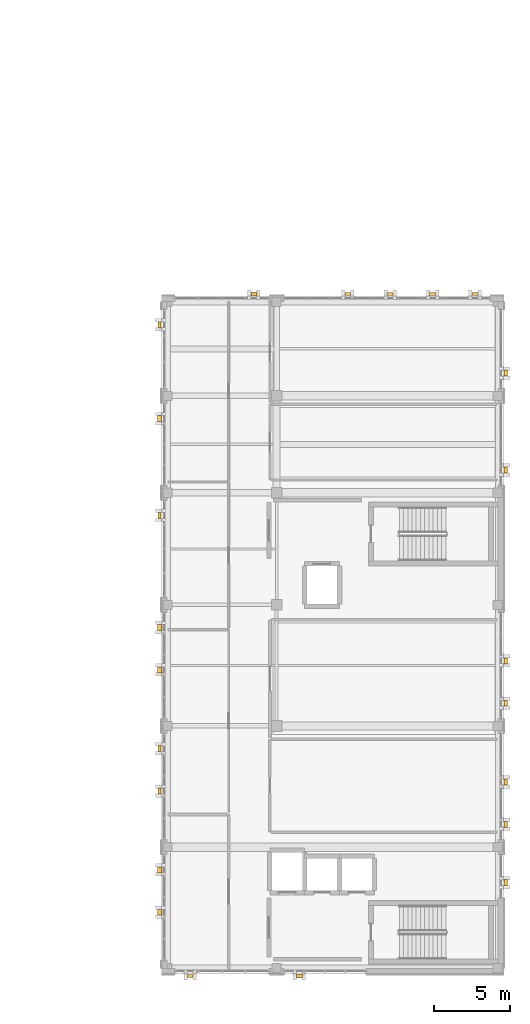
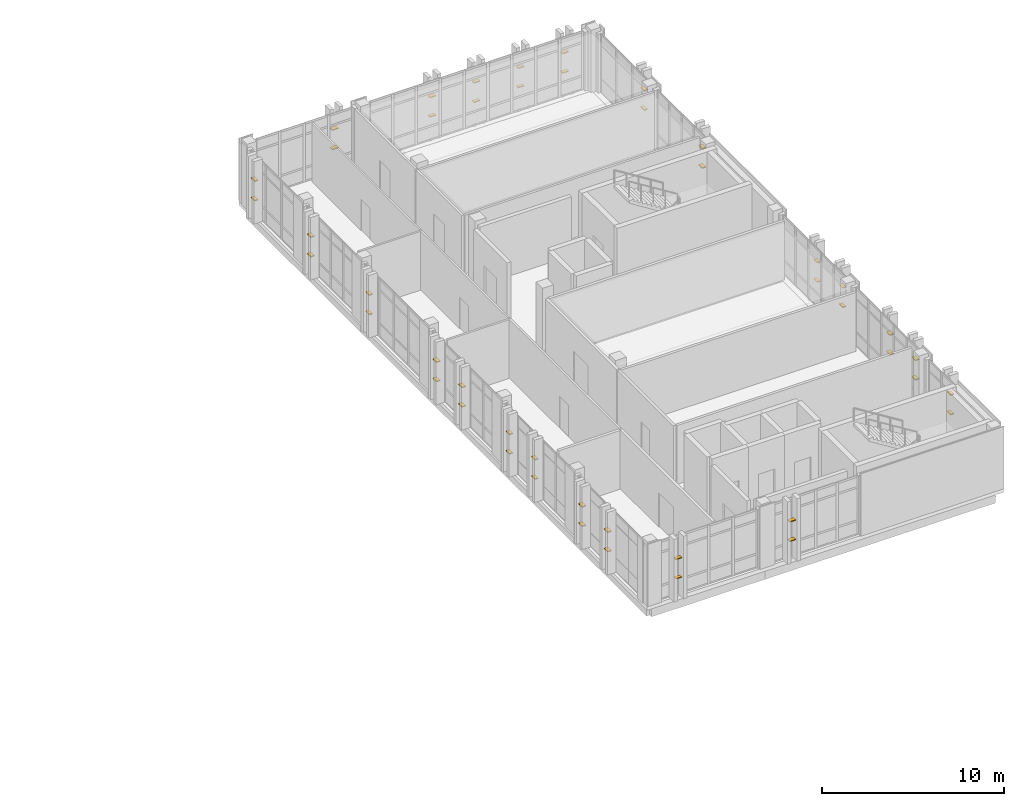
# One storey, part 76 of 77: 46 shading devices.
"""IFC4 building model written with IfcOpenShell, lengths in metres."""

from ifc_helpers import new_model, si_unit, direction, frame, origin, origin_2d, place, context, subcontext, project, spatial, rectangle, extrude, material, type_object, element, save


model = new_model("IFC4")

# Units and contexts
model_context = context("Model", 3, precision=1e-05, world=origin(), true_north=direction((0.0, 1.0)))
body_context = subcontext(model_context, "Body", "Model", "MODEL_VIEW")
ifc_project = project(units=[si_unit("LENGTHUNIT", "METRE"), si_unit("AREAUNIT", "SQUARE_METRE"), si_unit("VOLUMEUNIT", "CUBIC_METRE"), si_unit("PLANEANGLEUNIT", "RADIAN"), si_unit("MASSUNIT", "GRAM", prefix="KILO")], contexts=[model_context])

# Site, building, storey
site_placement = place(None, origin())
site = spatial("IfcSite", under=ifc_project, at=site_placement, CompositionType="ELEMENT")
building_placement = place(site_placement, origin())
building = spatial("IfcBuilding", under=site, at=building_placement, Name="Qalavern Law Courts", CompositionType="ELEMENT")
storey_placement = place(building_placement, frame((0.0, 0.0, 27.0)))
storey = spatial("IfcBuildingStorey", under=building, at=storey_placement, Name="L06", CompositionType="ELEMENT", Elevation=27.0)

# Shading devices
ifc_material = material(Name="Anodised aluminium", Category="aluminium")
shading_device_type_1 = type_object("IfcShadingDeviceType", Name="ENV-LOUV-1", PredefinedType="JALOUSIE", material=ifc_material)
for number, where, z_axis, x_axis, name in (
    (1, (86.10009765625, 40.89501953125, 1.34716796875), (0.0, 0.0, 1.0), (1.0, 0.0, 0.0), "Horizontal sun louvre V4-L06-0-1"),
    (2, (86.10009765625, 40.89501953125, 2.645751953125), (0.0, 0.0, 1.0), (1.0, 0.0, 0.0), "Horizontal sun louvre V4-L06-0-2"),
    (3, (106.925048828125, 47.050048828125, 1.34716796875), (0.0, 0.0, 1.0), (0.0, 1.0, 0.0), "Horizontal sun louvre V4-L06-0-1"),
    (4, (106.925048828125, 47.050048828125, 2.645751953125), (0.0, 0.0, 1.0), (0.0, 1.0, 0.0), "Horizontal sun louvre V4-L06-0-2"),
    (5, (106.925048828125, 58.89990234375, 1.34716796875), (0.0, 0.0, 1.0), (0.0, 1.0, 0.0), "Horizontal sun louvre V4-L06-0-1"),
    (6, (106.925048828125, 58.89990234375, 2.645751953125), (0.0, 0.0, 1.0), (0.0, 1.0, 0.0), "Horizontal sun louvre V4-L06-0-2"),
    (7, (106.925048828125, 61.699951171875, 1.34716796875), (0.0, 0.0, 1.0), (0.0, 1.0, 0.0), "Horizontal sun louvre V4-L06-1-1"),
    (8, (106.925048828125, 61.699951171875, 2.645751953125), (0.0, 0.0, 1.0), (0.0, 1.0, 0.0), "Horizontal sun louvre V4-L06-1-2"),
    (9, (106.925048828125, 80.699951171875, 1.34716796875), (0.0, 0.0, 1.0), (0.0, 1.0, 0.0), "Horizontal sun louvre V4-L06-0-1"),
    (10, (106.925048828125, 80.699951171875, 2.645751953125), (0.0, 0.0, 1.0), (0.0, 1.0, 0.0), "Horizontal sun louvre V4-L06-0-2"),
    (11, (104.89990234375, 85.925048828125, 1.34716796875), (0.0, 0.0, 1.0), (-1.0, 0.0, 0.0), "Horizontal sun louvre V4-L06-0-1"),
    (12, (104.89990234375, 85.925048828125, 2.645751953125), (0.0, 0.0, 1.0), (-1.0, 0.0, 0.0), "Horizontal sun louvre V4-L06-0-2"),
    (13, (102.10009765625, 85.925048828125, 1.34716796875), (0.0, 0.0, 1.0), (-1.0, 0.0, 0.0), "Horizontal sun louvre V4-L06-1-1"),
    (14, (102.10009765625, 85.925048828125, 2.645751953125), (0.0, 0.0, 1.0), (-1.0, 0.0, 0.0), "Horizontal sun louvre V4-L06-1-2"),
    (15, (99.300048828125, 85.925048828125, 1.34716796875), (0.0, 0.0, 1.0), (-1.0, 0.0, 0.0), "Horizontal sun louvre V4-L06-2-1"),
    (16, (99.300048828125, 85.925048828125, 2.645751953125), (0.0, 0.0, 1.0), (-1.0, 0.0, 0.0), "Horizontal sun louvre V4-L06-2-2"),
    (17, (96.5, 85.925048828125, 1.34716796875), (0.0, 0.0, 1.0), (-1.0, 0.0, 0.0), "Horizontal sun louvre V4-L06-3-1"),
    (18, (96.5, 85.925048828125, 2.645751953125), (0.0, 0.0, 1.0), (-1.0, 0.0, 0.0), "Horizontal sun louvre V4-L06-3-2"),
    (19, (84.074951171875, 83.885009765625, 1.34716796875), (0.0, 0.0, 1.0), (0.0, -1.0, 0.0), "Horizontal sun louvre V4-L06-0-1"),
    (20, (84.074951171875, 83.885009765625, 2.645751953125), (0.0, 0.0, 1.0), (0.0, -1.0, 0.0), "Horizontal sun louvre V4-L06-0-2"),
    (21, (84.074951171875, 71.300048828125, 1.34716796875), (0.0, 0.0, 1.0), (0.0, -1.0, 0.0), "Horizontal sun louvre V4-L06-0-1"),
    (22, (84.074951171875, 71.300048828125, 2.645751953125), (0.0, 0.0, 1.0), (0.0, -1.0, 0.0), "Horizontal sun louvre V4-L06-0-2"),
    (23, (84.074951171875, 55.89990234375, 1.34716796875), (0.0, 0.0, 1.0), (0.0, -1.0, 0.0), "Horizontal sun louvre V4-L06-0-1"),
    (24, (84.074951171875, 55.89990234375, 2.645751953125), (0.0, 0.0, 1.0), (0.0, -1.0, 0.0), "Horizontal sun louvre V4-L06-0-2"),
    (25, (84.074951171875, 53.10009765625, 1.34716796875), (0.0, 0.0, 1.0), (0.0, -1.0, 0.0), "Horizontal sun louvre V4-L06-1-1"),
    (26, (84.074951171875, 53.10009765625, 2.645751953125), (0.0, 0.0, 1.0), (0.0, -1.0, 0.0), "Horizontal sun louvre V4-L06-1-2"),
):
    element("IfcShadingDevice", number, at=place(storey_placement, frame(where, z_axis=z_axis, x_axis=x_axis)), inside=storey, type_object=shading_device_type_1, Name=name, PredefinedType="JALOUSIE", context=body_context, shape_type="SweptSolid", body=[
        extrude(rectangle(XDim=0.389892578125, YDim=0.2099609375, at=origin_2d()), origin(), (0.0, 0.0, 1.0), 0.06005859375),
    ])
shading_device_type_2 = type_object("IfcShadingDeviceType", Name="ENV-LOUV-2", PredefinedType="JALOUSIE", material=ifc_material)
for number, where, z_axis, x_axis, name in (
    (27, (93.300048828125, 40.89501953125, 1.34716796875), (0.0, 0.0, 1.0), (1.0, 0.0, 0.0), "Horizontal sun louvre V4-L06-0-1"),
    (28, (93.300048828125, 40.89501953125, 2.645751953125), (0.0, 0.0, 1.0), (1.0, 0.0, 0.0), "Horizontal sun louvre V4-L06-0-2"),
    (29, (106.925048828125, 50.89990234375, 1.34716796875), (0.0, 0.0, 1.0), (0.0, 1.0, 0.0), "Horizontal sun louvre V4-L06-0-1"),
    (30, (106.925048828125, 50.89990234375, 2.645751953125), (0.0, 0.0, 1.0), (0.0, 1.0, 0.0), "Horizontal sun louvre V4-L06-0-2"),
    (31, (106.925048828125, 53.699951171875, 1.34716796875), (0.0, 0.0, 1.0), (0.0, 1.0, 0.0), "Horizontal sun louvre V4-L06-1-1"),
    (32, (106.925048828125, 53.699951171875, 2.645751953125), (0.0, 0.0, 1.0), (0.0, 1.0, 0.0), "Horizontal sun louvre V4-L06-1-2"),
    (33, (106.925048828125, 74.300048828125, 1.34716796875), (0.0, 0.0, 1.0), (0.0, 1.0, 0.0), "Horizontal sun louvre V4-L06-0-1"),
    (34, (106.925048828125, 74.300048828125, 2.645751953125), (0.0, 0.0, 1.0), (0.0, 1.0, 0.0), "Horizontal sun louvre V4-L06-0-2"),
    (35, (90.300048828125, 85.925048828125, 1.34716796875), (0.0, 0.0, 1.0), (-1.0, 0.0, 0.0), "Horizontal sun louvre V4-L06-0-1"),
    (36, (90.300048828125, 85.925048828125, 2.645751953125), (0.0, 0.0, 1.0), (-1.0, 0.0, 0.0), "Horizontal sun louvre V4-L06-0-2"),
    (37, (84.074951171875, 77.699951171875, 1.34716796875), (0.0, 0.0, 1.0), (0.0, -1.0, 0.0), "Horizontal sun louvre V4-L06-0-1"),
    (38, (84.074951171875, 77.699951171875, 2.645751953125), (0.0, 0.0, 1.0), (0.0, -1.0, 0.0), "Horizontal sun louvre V4-L06-0-2"),
    (39, (84.074951171875, 63.89990234375, 1.34716796875), (0.0, 0.0, 1.0), (0.0, -1.0, 0.0), "Horizontal sun louvre V4-L06-0-1"),
    (40, (84.074951171875, 63.89990234375, 2.645751953125), (0.0, 0.0, 1.0), (0.0, -1.0, 0.0), "Horizontal sun louvre V4-L06-0-2"),
    (41, (84.074951171875, 61.10009765625, 1.34716796875), (0.0, 0.0, 1.0), (0.0, -1.0, 0.0), "Horizontal sun louvre V4-L06-1-1"),
    (42, (84.074951171875, 61.10009765625, 2.645751953125), (0.0, 0.0, 1.0), (0.0, -1.0, 0.0), "Horizontal sun louvre V4-L06-1-2"),
    (43, (84.074951171875, 47.89990234375, 1.34716796875), (0.0, 0.0, 1.0), (0.0, -1.0, 0.0), "Horizontal sun louvre V4-L06-0-1"),
    (44, (84.074951171875, 47.89990234375, 2.645751953125), (0.0, 0.0, 1.0), (0.0, -1.0, 0.0), "Horizontal sun louvre V4-L06-0-2"),
    (45, (84.074951171875, 45.10009765625, 1.34716796875), (0.0, 0.0, 1.0), (0.0, -1.0, 0.0), "Horizontal sun louvre V4-L06-1-1"),
    (46, (84.074951171875, 45.10009765625, 2.645751953125), (0.0, 0.0, 1.0), (0.0, -1.0, 0.0), "Horizontal sun louvre V4-L06-1-2"),
):
    element("IfcShadingDevice", number, at=place(storey_placement, frame(where, z_axis=z_axis, x_axis=x_axis)), inside=storey, type_object=shading_device_type_2, Name=name, PredefinedType="JALOUSIE", context=body_context, shape_type="SweptSolid", body=[
        extrude(rectangle(XDim=0.389892578125, YDim=0.25, at=origin_2d()), origin(), (0.0, 0.0, 1.0), 0.06005859375),
    ])

save(model, "model.ifc")
